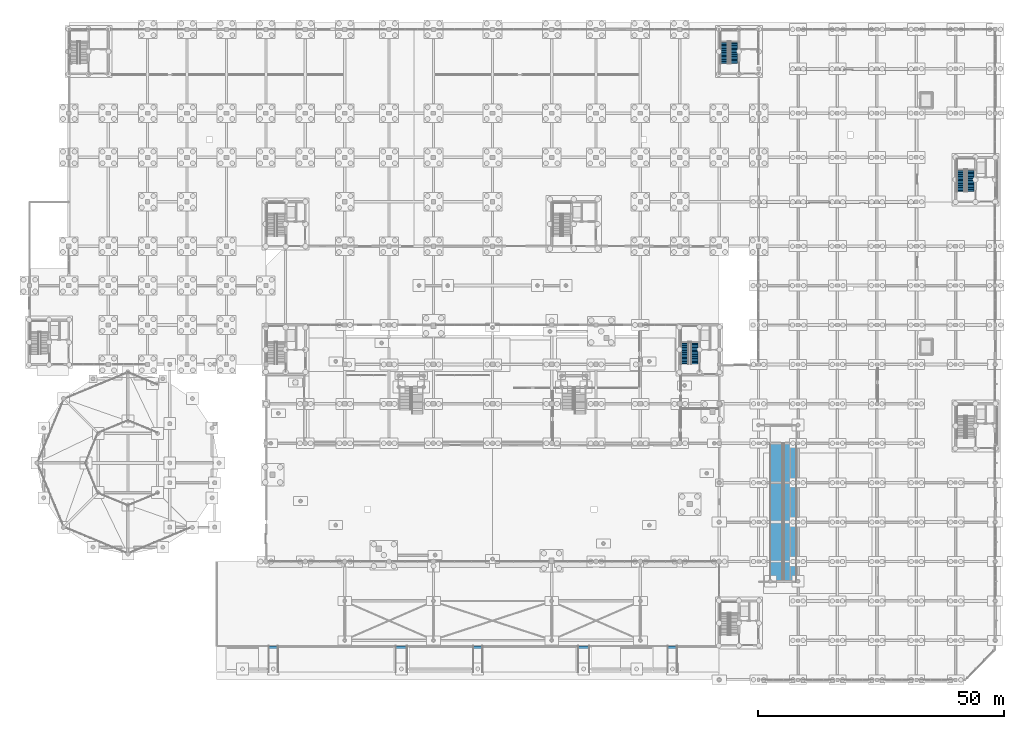
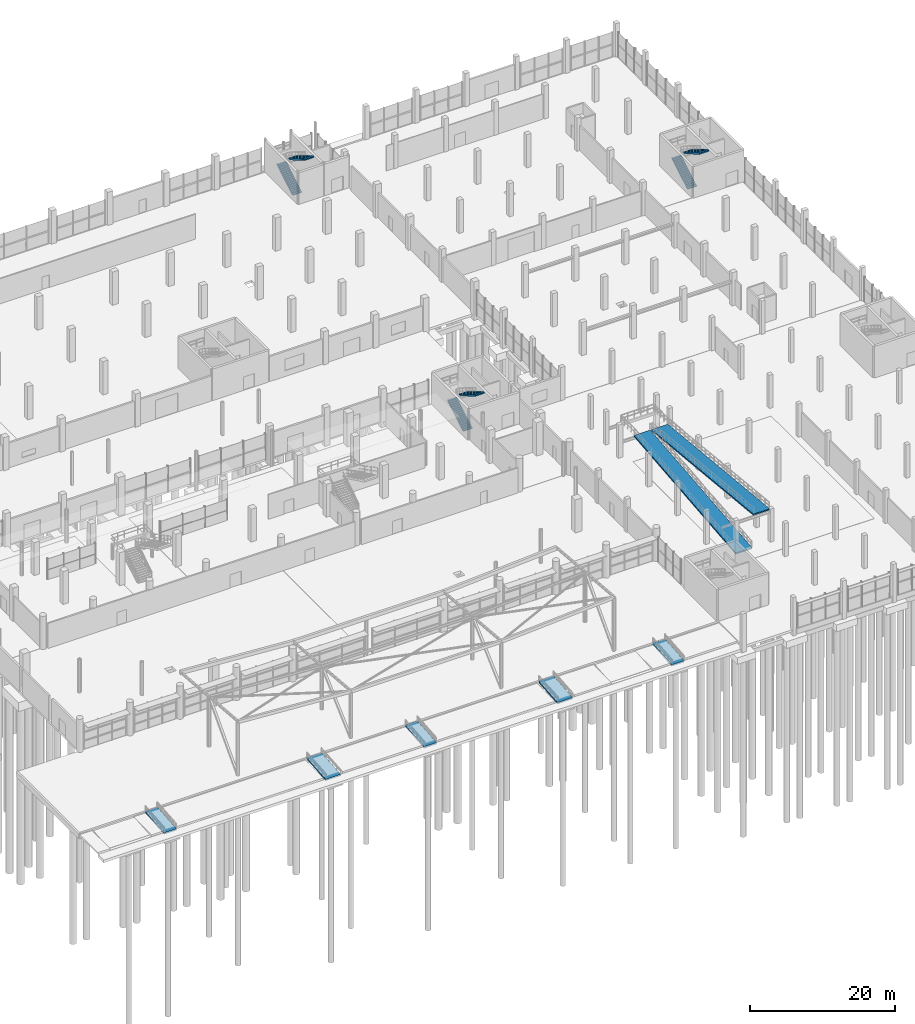
# One storey, part 87 of 98: 7 ramp flights, 6 stair flights, 9 elements without a shape of their own.
"""IFC4 building model written with IfcOpenShell, lengths in metres."""

from ifc_helpers import new_model, si_unit, derived_unit, direction, frame, origin, place, context, subcontext, project, spatial, polyline, outline, extrude, polygons, material, layer, layer_set, type_object, element, aggregate, save


model = new_model("IFC4")

# Units and contexts
model_context = context("Model", 3, precision=1e-05, world=origin(), true_north=direction((0.0, 1.0)))
body_context = subcontext(model_context, "Body", "Model", "MODEL_VIEW")
ifc_project = project(units=[si_unit("LENGTHUNIT", "METRE"), si_unit("AREAUNIT", "SQUARE_METRE"), si_unit("VOLUMEUNIT", "CUBIC_METRE"), si_unit("PLANEANGLEUNIT", "RADIAN"), si_unit("MASSUNIT", "GRAM", prefix="KILO"), si_unit("THERMODYNAMICTEMPERATUREUNIT", "KELVIN"), derived_unit("THERMALTRANSMITTANCEUNIT", [(si_unit("POWERUNIT", "WATT"), 1), (si_unit("AREAUNIT", "SQUARE_METRE"), -1), (si_unit("THERMODYNAMICTEMPERATUREUNIT", "KELVIN"), -1)])], contexts=[model_context])

# Site, building, storey
site_placement = place(None, origin())
site = spatial("IfcSite", under=ifc_project, at=site_placement, CompositionType="ELEMENT")
building_placement = place(site_placement, origin())
building = spatial("IfcBuilding", under=site, at=building_placement, Name="Haiyu Intermodal Mobility Hub", CompositionType="ELEMENT")
storey_placement = place(building_placement, origin())
storey = spatial("IfcBuildingStorey", under=building, at=storey_placement, Name="L00", CompositionType="ELEMENT", Elevation=0.0)

# Stair, stair flights
ifc_material = material(Name="Concrete C40", Category="concrete")
stair_type = type_object("IfcStairType", Name="STR-ST01", PredefinedType="HALF_TURN_STAIR", material=ifc_material)
stair_1_placement = place(storey_placement, origin())
stair_1 = element("IfcStair", 1, at=stair_1_placement, inside=storey, type_object=stair_type, Name="Exit Stair ST01 L00", PredefinedType="HALF_TURN_STAIR")
stair_flight_type = type_object("IfcStairFlightType", Name="SFL-ST01", PredefinedType="STRAIGHT", material=ifc_material)
stair_flight_1_placement = place(storey_placement, frame((147.090087890625, 80.050048828125, 0.0), z_axis=(0.0, 0.0, 1.0), x_axis=(0.0, 1.0, 0.0)))
stair_flight_1 = element("IfcStairFlight", 2, at=stair_flight_1_placement, type_object=stair_flight_type, Name="Stair Flight STR-C2-L00-F1", NumberOfRisers=17, NumberOfTreads=16, PredefinedType="STRAIGHT", RiserHeight=0.16471, TreadLength=0.28, context=body_context, shape_type="SweptSolid", body=[
    extrude(outline(polyline([(0.0, 0.0), (0.0, 0.164794921875), (0.280029296875, 0.164794921875), (0.280029296875, 0.329345703125), (0.56005859375, 0.329345703125), (0.56005859375, 0.494140625), (0.840087890625, 0.494140625), (0.840087890625, 0.658935546875), (1.1201171875, 0.658935546875), (1.1201171875, 0.823486328125), (1.39990234375, 0.823486328125), (1.39990234375, 0.98828125), (1.679931640625, 0.98828125), (1.679931640625, 1.153076171875), (1.9599609375, 1.153076171875), (1.9599609375, 1.317626953125), (2.239990234375, 1.317626953125), (2.239990234375, 1.482421875), (2.52001953125, 1.482421875), (2.52001953125, 1.647216796875), (2.800048828125, 1.647216796875), (2.800048828125, 1.811767578125), (3.080078125, 1.811767578125), (3.080078125, 1.9765625), (3.360107421875, 1.9765625), (3.360107421875, 2.14111328125), (3.639892578125, 2.14111328125), (3.639892578125, 2.305908203125), (3.919921875, 2.305908203125), (3.919921875, 2.470703125), (4.199951171875, 2.470703125), (4.199951171875, 2.63525390625), (4.47998046875, 2.63525390625), (4.47998046875, 2.800048828125), (4.47998046875, 2.426513671875), (0.35498046875, 0.0), (0.0, 0.0)])), frame((0.0, 0.72998046875, 0.0), z_axis=(0.0, -1.0, 0.0), x_axis=(1.0, 0.0, 0.0)), (0.0, 0.0, 1.0), 1.4599609375),
])
stair_flight_2_placement = place(storey_placement, frame((149.0, 84.56005859375, 2.800048828125), z_axis=(0.0, 0.0, 1.0), x_axis=(0.0, -1.0, 0.0)))
stair_flight_2 = element("IfcStairFlight", 3, at=stair_flight_2_placement, type_object=stair_flight_type, Name="Stair Flight STR-C2-L00-F2", NumberOfRisers=17, NumberOfTreads=16, PredefinedType="STRAIGHT", RiserHeight=0.16471, TreadLength=0.28063, context=body_context, shape_type="SweptSolid", body=[
    extrude(outline(polyline([(0.0, 0.0), (0.0, 0.164794921875), (0.280517578125, 0.164794921875), (0.280517578125, 0.329345703125), (0.561279296875, 0.329345703125), (0.561279296875, 0.494140625), (0.841796875, 0.494140625), (0.841796875, 0.658935546875), (1.12255859375, 0.658935546875), (1.12255859375, 0.823486328125), (1.403076171875, 0.823486328125), (1.403076171875, 0.98828125), (1.683837890625, 0.98828125), (1.683837890625, 1.153076171875), (1.96435546875, 1.153076171875), (1.96435546875, 1.317626953125), (2.2451171875, 1.317626953125), (2.2451171875, 1.482421875), (2.525634765625, 1.482421875), (2.525634765625, 1.647216796875), (2.806396484375, 1.647216796875), (2.806396484375, 1.811767578125), (3.0869140625, 1.811767578125), (3.0869140625, 1.9765625), (3.36767578125, 1.9765625), (3.36767578125, 2.14111328125), (3.648193359375, 2.14111328125), (3.648193359375, 2.305908203125), (3.9287109375, 2.305908203125), (3.9287109375, 2.470703125), (4.20947265625, 2.470703125), (4.20947265625, 2.63525390625), (4.489990234375, 2.63525390625), (4.489990234375, 2.800048828125), (4.489990234375, 2.4267578125), (0.35546875, 0.0), (0.0, 0.0)])), frame((0.0, 0.72998046875, 0.0), z_axis=(0.0, -1.0, 0.0), x_axis=(1.0, 0.0, 0.0)), (0.0, 0.0, 1.0), 1.4599609375),
])
aggregate(stair_1, [stair_flight_1, stair_flight_2])

stair_2_placement = place(storey_placement, origin())
stair_2 = element("IfcStair", 4, at=stair_2_placement, inside=storey, type_object=stair_type, Name="Exit Stair ST02 L00", PredefinedType="HALF_TURN_STAIR")
stair_flight_3_placement = place(storey_placement, frame((155.090087890625, 141.050048828125, 0.0), z_axis=(0.0, 0.0, 1.0), x_axis=(0.0, 1.0, 0.0)))
stair_flight_3 = element("IfcStairFlight", 5, at=stair_flight_3_placement, type_object=stair_flight_type, Name="Stair Flight STR-C4-L00-F1", NumberOfRisers=17, NumberOfTreads=16, PredefinedType="STRAIGHT", RiserHeight=0.16471, TreadLength=0.28, context=body_context, shape_type="SweptSolid", body=[
    extrude(outline(polyline([(0.0, 0.0), (0.0, 0.164794921875), (0.280029296875, 0.164794921875), (0.280029296875, 0.329345703125), (0.56005859375, 0.329345703125), (0.56005859375, 0.494140625), (0.840087890625, 0.494140625), (0.840087890625, 0.658935546875), (1.1201171875, 0.658935546875), (1.1201171875, 0.823486328125), (1.39990234375, 0.823486328125), (1.39990234375, 0.98828125), (1.679931640625, 0.98828125), (1.679931640625, 1.153076171875), (1.9599609375, 1.153076171875), (1.9599609375, 1.317626953125), (2.239990234375, 1.317626953125), (2.239990234375, 1.482421875), (2.52001953125, 1.482421875), (2.52001953125, 1.647216796875), (2.800048828125, 1.647216796875), (2.800048828125, 1.811767578125), (3.080078125, 1.811767578125), (3.080078125, 1.9765625), (3.360107421875, 1.9765625), (3.360107421875, 2.14111328125), (3.639892578125, 2.14111328125), (3.639892578125, 2.305908203125), (3.919921875, 2.305908203125), (3.919921875, 2.470703125), (4.199951171875, 2.470703125), (4.199951171875, 2.63525390625), (4.47998046875, 2.63525390625), (4.47998046875, 2.800048828125), (4.47998046875, 2.426513671875), (0.35498046875, 0.0), (0.0, 0.0)])), frame((0.0, 0.72998046875, 0.0), z_axis=(0.0, -1.0, 0.0), x_axis=(1.0, 0.0, 0.0)), (0.0, 0.0, 1.0), 1.4599609375),
])
stair_flight_4_placement = place(storey_placement, frame((157.0, 145.56005859375, 2.800048828125), z_axis=(0.0, 0.0, 1.0), x_axis=(0.0, -1.0, 0.0)))
stair_flight_4 = element("IfcStairFlight", 6, at=stair_flight_4_placement, type_object=stair_flight_type, Name="Stair Flight STR-C4-L00-F2", NumberOfRisers=17, NumberOfTreads=16, PredefinedType="STRAIGHT", RiserHeight=0.16471, TreadLength=0.28063, context=body_context, shape_type="SweptSolid", body=[
    extrude(outline(polyline([(0.0, 0.0), (0.0, 0.164794921875), (0.280517578125, 0.164794921875), (0.280517578125, 0.329345703125), (0.561279296875, 0.329345703125), (0.561279296875, 0.494140625), (0.841796875, 0.494140625), (0.841796875, 0.658935546875), (1.12255859375, 0.658935546875), (1.12255859375, 0.823486328125), (1.403076171875, 0.823486328125), (1.403076171875, 0.98828125), (1.683837890625, 0.98828125), (1.683837890625, 1.153076171875), (1.96435546875, 1.153076171875), (1.96435546875, 1.317626953125), (2.2451171875, 1.317626953125), (2.2451171875, 1.482421875), (2.525634765625, 1.482421875), (2.525634765625, 1.647216796875), (2.806396484375, 1.647216796875), (2.806396484375, 1.811767578125), (3.0869140625, 1.811767578125), (3.0869140625, 1.9765625), (3.36767578125, 1.9765625), (3.36767578125, 2.14111328125), (3.648193359375, 2.14111328125), (3.648193359375, 2.305908203125), (3.9287109375, 2.305908203125), (3.9287109375, 2.470703125), (4.20947265625, 2.470703125), (4.20947265625, 2.63525390625), (4.489990234375, 2.63525390625), (4.489990234375, 2.800048828125), (4.489990234375, 2.4267578125), (0.35546875, 0.0), (0.0, 0.0)])), frame((0.0, 0.72998046875, 0.0), z_axis=(0.0, -1.0, 0.0), x_axis=(1.0, 0.0, 0.0)), (0.0, 0.0, 1.0), 1.4599609375),
])
aggregate(stair_2, [stair_flight_3, stair_flight_4])

stair_3_placement = place(storey_placement, origin())
stair_3 = element("IfcStair", 7, at=stair_3_placement, inside=storey, type_object=stair_type, Name="Exit Stair ST03 L00", PredefinedType="HALF_TURN_STAIR")
stair_flight_5_placement = place(storey_placement, frame((203.090087890625, 115.050048828125, 0.0), z_axis=(0.0, 0.0, 1.0), x_axis=(0.0, 1.0, 0.0)))
stair_flight_5 = element("IfcStairFlight", 8, at=stair_flight_5_placement, type_object=stair_flight_type, Name="Stair Flight STR-C10-L00-F1", NumberOfRisers=17, NumberOfTreads=16, PredefinedType="STRAIGHT", RiserHeight=0.16471, TreadLength=0.28, context=body_context, shape_type="SweptSolid", body=[
    extrude(outline(polyline([(0.0, 0.0), (0.0, 0.164794921875), (0.280029296875, 0.164794921875), (0.280029296875, 0.329345703125), (0.56005859375, 0.329345703125), (0.56005859375, 0.494140625), (0.840087890625, 0.494140625), (0.840087890625, 0.658935546875), (1.1201171875, 0.658935546875), (1.1201171875, 0.823486328125), (1.39990234375, 0.823486328125), (1.39990234375, 0.98828125), (1.679931640625, 0.98828125), (1.679931640625, 1.153076171875), (1.9599609375, 1.153076171875), (1.9599609375, 1.317626953125), (2.239990234375, 1.317626953125), (2.239990234375, 1.482421875), (2.52001953125, 1.482421875), (2.52001953125, 1.647216796875), (2.800048828125, 1.647216796875), (2.800048828125, 1.811767578125), (3.080078125, 1.811767578125), (3.080078125, 1.9765625), (3.360107421875, 1.9765625), (3.360107421875, 2.14111328125), (3.639892578125, 2.14111328125), (3.639892578125, 2.305908203125), (3.919921875, 2.305908203125), (3.919921875, 2.470703125), (4.199951171875, 2.470703125), (4.199951171875, 2.63525390625), (4.47998046875, 2.63525390625), (4.47998046875, 2.800048828125), (4.47998046875, 2.426513671875), (0.35498046875, 0.0), (0.0, 0.0)])), frame((0.0, 0.72998046875, 0.0), z_axis=(0.0, -1.0, 0.0), x_axis=(1.0, 0.0, 0.0)), (0.0, 0.0, 1.0), 1.4599609375),
])
stair_flight_6_placement = place(storey_placement, frame((205.0, 119.56005859375, 2.800048828125), z_axis=(0.0, 0.0, 1.0), x_axis=(0.0, -1.0, 0.0)))
stair_flight_6 = element("IfcStairFlight", 9, at=stair_flight_6_placement, type_object=stair_flight_type, Name="Stair Flight STR-C10-L00-F2", NumberOfRisers=17, NumberOfTreads=16, PredefinedType="STRAIGHT", RiserHeight=0.16471, TreadLength=0.28063, context=body_context, shape_type="SweptSolid", body=[
    extrude(outline(polyline([(0.0, 0.0), (0.0, 0.164794921875), (0.280517578125, 0.164794921875), (0.280517578125, 0.329345703125), (0.561279296875, 0.329345703125), (0.561279296875, 0.494140625), (0.841796875, 0.494140625), (0.841796875, 0.658935546875), (1.12255859375, 0.658935546875), (1.12255859375, 0.823486328125), (1.403076171875, 0.823486328125), (1.403076171875, 0.98828125), (1.683837890625, 0.98828125), (1.683837890625, 1.153076171875), (1.96435546875, 1.153076171875), (1.96435546875, 1.317626953125), (2.2451171875, 1.317626953125), (2.2451171875, 1.482421875), (2.525634765625, 1.482421875), (2.525634765625, 1.647216796875), (2.806396484375, 1.647216796875), (2.806396484375, 1.811767578125), (3.0869140625, 1.811767578125), (3.0869140625, 1.9765625), (3.36767578125, 1.9765625), (3.36767578125, 2.14111328125), (3.648193359375, 2.14111328125), (3.648193359375, 2.305908203125), (3.9287109375, 2.305908203125), (3.9287109375, 2.470703125), (4.20947265625, 2.470703125), (4.20947265625, 2.63525390625), (4.489990234375, 2.63525390625), (4.489990234375, 2.800048828125), (4.489990234375, 2.4267578125), (0.35546875, 0.0), (0.0, 0.0)])), frame((0.0, 0.72998046875, 0.0), z_axis=(0.0, -1.0, 0.0), x_axis=(1.0, 0.0, 0.0)), (0.0, 0.0, 1.0), 1.4599609375),
])
aggregate(stair_3, [stair_flight_5, stair_flight_6])

# Ramp, ramp flights
ifc_layer_1 = layer(ifc_material, 0.260009765625)
ifc_layer_set_1 = layer_set([ifc_layer_1], Name="Concrete C40")
ramp_type_1 = type_object("IfcRampType", Name="RMP-RM02", PredefinedType="STRAIGHT_RUN_RAMP", material=ifc_layer_set_1)
ramp_1_placement = place(storey_placement, origin())
ramp_1 = element("IfcRamp", 10, at=ramp_1_placement, inside=storey, type_object=ramp_type_1, Name="Bicycle Ramp L00", PredefinedType="STRAIGHT_RUN_RAMP")
ifc_layer_2 = layer(ifc_material, 0.260009765625)
ifc_layer_set_2 = layer_set([ifc_layer_2], Name="Concrete C40")
ramp_flight_type_1 = type_object("IfcRampFlightType", Name="RFL-RM02", PredefinedType="STRAIGHT", material=ifc_layer_set_2)
ramp_flight_1_placement = place(storey_placement, origin())
ramp_flight_1 = element("IfcRampFlight", 11, at=ramp_flight_1_placement, type_object=ramp_flight_type_1, Name="RMP-BIKE-L00-F1", PredefinedType="STRAIGHT", context=body_context, shape_type="Tessellation", body=[
    polygons([(164.300048828125, 35.89990234375, -0.219970703125), (166.89990234375, 35.89990234375, -0.219970703125), (166.89990234375, 64.0, 2.580078125), (164.300048828125, 64.0, 2.580078125), (164.300048828125, 35.89990234375, 0.0), (166.89990234375, 35.89990234375, 0.0), (166.89990234375, 64.0, 2.800048828125), (164.300048828125, 64.0, 2.800048828125)], [[[4, 3, 2, 1]], [[5, 6, 7, 8]], [[1, 2, 6, 5]], [[2, 3, 7, 6]], [[3, 4, 8, 7]], [[4, 1, 5, 8]]], closed=True),
])
ramp_flight_2_placement = place(storey_placement, origin())
ramp_flight_2 = element("IfcRampFlight", 12, at=ramp_flight_2_placement, type_object=ramp_flight_type_1, Name="RMP-BIKE-L00-F2", PredefinedType="STRAIGHT", context=body_context, shape_type="Tessellation", body=[
    polygons([(167.10009765625, 64.0, 2.580078125), (169.699951171875, 64.0, 2.580078125), (169.699951171875, 35.85009765625, 5.3798828125), (167.10009765625, 35.85009765625, 5.3798828125), (167.10009765625, 64.0, 2.800048828125), (169.699951171875, 64.0, 2.800048828125), (169.699951171875, 35.85009765625, 5.60009765625), (167.10009765625, 35.85009765625, 5.60009765625)], [[[4, 3, 2, 1]], [[5, 6, 7, 8]], [[1, 2, 6, 5]], [[2, 3, 7, 6]], [[3, 4, 8, 7]], [[4, 1, 5, 8]]], closed=True),
])
aggregate(ramp_1, [ramp_flight_1, ramp_flight_2])

# Ramp, ramp flight
ifc_layer_3 = layer(ifc_material, 0.260009765625)
ifc_layer_set_3 = layer_set([ifc_layer_3], Name="Concrete C40")
ramp_type_2 = type_object("IfcRampType", Name="RMP-RM03", PredefinedType="STRAIGHT_RUN_RAMP", material=ifc_layer_set_3)
ramp_2_placement = place(storey_placement, origin())
ramp_2 = element("IfcRamp", 13, at=ramp_2_placement, inside=storey, type_object=ramp_type_2, Name="Plinth Accessible Ramp ACC-01", PredefinedType="STRAIGHT_RUN_RAMP")
ifc_layer_4 = layer(ifc_material, 0.260009765625)
ifc_layer_set_4 = layer_set([ifc_layer_4], Name="Concrete C40")
ramp_flight_type_2 = type_object("IfcRampFlightType", Name="RFL-RM03", PredefinedType="STRAIGHT", material=ifc_layer_set_4)
ramp_flight_3_placement = place(storey_placement, origin())
ramp_flight_3 = element("IfcRampFlight", 14, at=ramp_flight_3_placement, type_object=ramp_flight_type_2, Name="RMP-ACC-01-FL", PredefinedType="STRAIGHT", context=body_context, shape_type="Tessellation", body=[
    polygons([(62.5, 17.56005859375, -0.7099609375), (64.5, 17.56005859375, -0.7099609375), (64.5, 22.840087890625, -0.260009765625), (62.5, 22.840087890625, -0.260009765625), (62.5, 17.56005859375, -0.449951171875), (64.5, 17.56005859375, -0.449951171875), (64.5, 22.840087890625, 0.0), (62.5, 22.840087890625, 0.0)], [[[4, 3, 2, 1]], [[5, 6, 7, 8]], [[1, 2, 6, 5]], [[2, 3, 7, 6]], [[3, 4, 8, 7]], [[4, 1, 5, 8]]], closed=True),
])
aggregate(ramp_2, [ramp_flight_3])

ramp_3_placement = place(storey_placement, origin())
ramp_3 = element("IfcRamp", 15, at=ramp_3_placement, inside=storey, type_object=ramp_type_2, Name="Plinth Accessible Ramp ACC-02", PredefinedType="STRAIGHT_RUN_RAMP")
ramp_flight_4_placement = place(storey_placement, origin())
ramp_flight_4 = element("IfcRampFlight", 16, at=ramp_flight_4_placement, type_object=ramp_flight_type_2, Name="RMP-ACC-02-FL", PredefinedType="STRAIGHT", context=body_context, shape_type="Tessellation", body=[
    polygons([(143.5, 17.56005859375, -0.7099609375), (145.5, 17.56005859375, -0.7099609375), (145.5, 22.840087890625, -0.260009765625), (143.5, 22.840087890625, -0.260009765625), (143.5, 17.56005859375, -0.449951171875), (145.5, 17.56005859375, -0.449951171875), (145.5, 22.840087890625, 0.0), (143.5, 22.840087890625, 0.0)], [[[4, 3, 2, 1]], [[5, 6, 7, 8]], [[1, 2, 6, 5]], [[2, 3, 7, 6]], [[3, 4, 8, 7]], [[4, 1, 5, 8]]], closed=True),
])
aggregate(ramp_3, [ramp_flight_4])

ramp_4_placement = place(storey_placement, origin())
ramp_4 = element("IfcRamp", 17, at=ramp_4_placement, inside=storey, type_object=ramp_type_2, Name="Plinth Accessible Ramp ACC-05", PredefinedType="STRAIGHT_RUN_RAMP")
ramp_flight_5_placement = place(storey_placement, origin())
ramp_flight_5 = element("IfcRampFlight", 18, at=ramp_flight_5_placement, type_object=ramp_flight_type_2, Name="RMP-ACC-05-FL", PredefinedType="STRAIGHT", context=body_context, shape_type="Tessellation", body=[
    polygons([(104.0, 17.56005859375, -0.7099609375), (106.0, 17.56005859375, -0.7099609375), (106.0, 22.840087890625, -0.260009765625), (104.0, 22.840087890625, -0.260009765625), (104.0, 17.56005859375, -0.449951171875), (106.0, 17.56005859375, -0.449951171875), (106.0, 22.840087890625, 0.0), (104.0, 22.840087890625, 0.0)], [[[4, 3, 2, 1]], [[5, 6, 7, 8]], [[1, 2, 6, 5]], [[2, 3, 7, 6]], [[3, 4, 8, 7]], [[4, 1, 5, 8]]], closed=True),
])
aggregate(ramp_4, [ramp_flight_5])

ifc_layer_5 = layer(ifc_material, 0.260009765625)
ifc_layer_set_5 = layer_set([ifc_layer_5], Name="Concrete C40")
ramp_type_3 = type_object("IfcRampType", Name="RMP-RM04", PredefinedType="STRAIGHT_RUN_RAMP", material=ifc_layer_set_5)
ramp_5_placement = place(storey_placement, origin())
ramp_5 = element("IfcRamp", 19, at=ramp_5_placement, inside=storey, type_object=ramp_type_3, Name="Plinth Accessible Ramp ACC-03", PredefinedType="STRAIGHT_RUN_RAMP")
ifc_layer_6 = layer(ifc_material, 0.260009765625)
ifc_layer_set_6 = layer_set([ifc_layer_6], Name="Concrete C40")
ramp_flight_type_3 = type_object("IfcRampFlightType", Name="RFL-RM04", PredefinedType="STRAIGHT", material=ifc_layer_set_6)
ramp_flight_6_placement = place(storey_placement, origin())
ramp_flight_6 = element("IfcRampFlight", 20, at=ramp_flight_6_placement, type_object=ramp_flight_type_3, Name="RMP-ACC-03-FL", PredefinedType="STRAIGHT", context=body_context, shape_type="Tessellation", body=[
    polygons([(88.300048828125, 17.56005859375, -0.7099609375), (90.699951171875, 17.56005859375, -0.7099609375), (90.699951171875, 22.840087890625, -0.260009765625), (88.300048828125, 22.840087890625, -0.260009765625), (88.300048828125, 17.56005859375, -0.449951171875), (90.699951171875, 17.56005859375, -0.449951171875), (90.699951171875, 22.840087890625, 0.0), (88.300048828125, 22.840087890625, 0.0)], [[[4, 3, 2, 1]], [[5, 6, 7, 8]], [[1, 2, 6, 5]], [[2, 3, 7, 6]], [[3, 4, 8, 7]], [[4, 1, 5, 8]]], closed=True),
])
aggregate(ramp_5, [ramp_flight_6])

ramp_6_placement = place(storey_placement, origin())
ramp_6 = element("IfcRamp", 21, at=ramp_6_placement, inside=storey, type_object=ramp_type_3, Name="Plinth Accessible Ramp ACC-04", PredefinedType="STRAIGHT_RUN_RAMP")
ramp_flight_7_placement = place(storey_placement, origin())
ramp_flight_7 = element("IfcRampFlight", 22, at=ramp_flight_7_placement, type_object=ramp_flight_type_3, Name="RMP-ACC-04-FL", PredefinedType="STRAIGHT", context=body_context, shape_type="Tessellation", body=[
    polygons([(125.300048828125, 17.56005859375, -0.7099609375), (127.699951171875, 17.56005859375, -0.7099609375), (127.699951171875, 22.840087890625, -0.260009765625), (125.300048828125, 22.840087890625, -0.260009765625), (125.300048828125, 17.56005859375, -0.449951171875), (127.699951171875, 17.56005859375, -0.449951171875), (127.699951171875, 22.840087890625, 0.0), (125.300048828125, 22.840087890625, 0.0)], [[[4, 3, 2, 1]], [[5, 6, 7, 8]], [[1, 2, 6, 5]], [[2, 3, 7, 6]], [[3, 4, 8, 7]], [[4, 1, 5, 8]]], closed=True),
])
aggregate(ramp_6, [ramp_flight_7])

save(model, "model.ifc")
